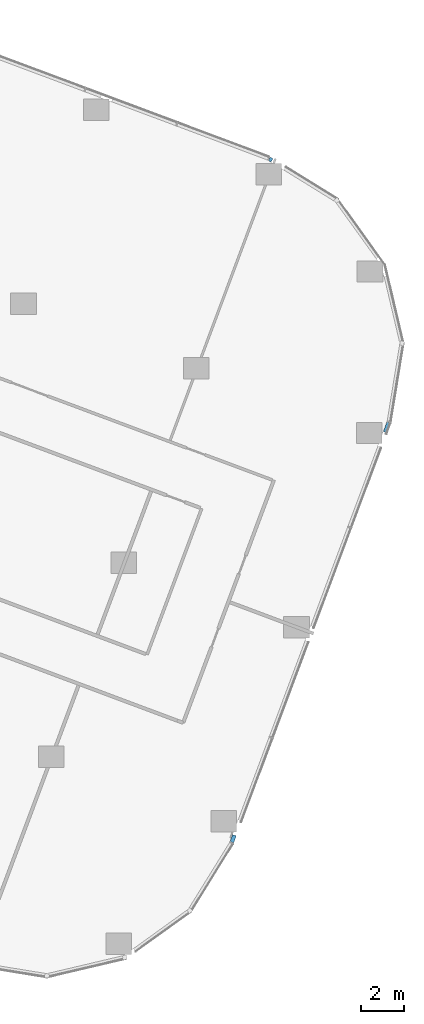
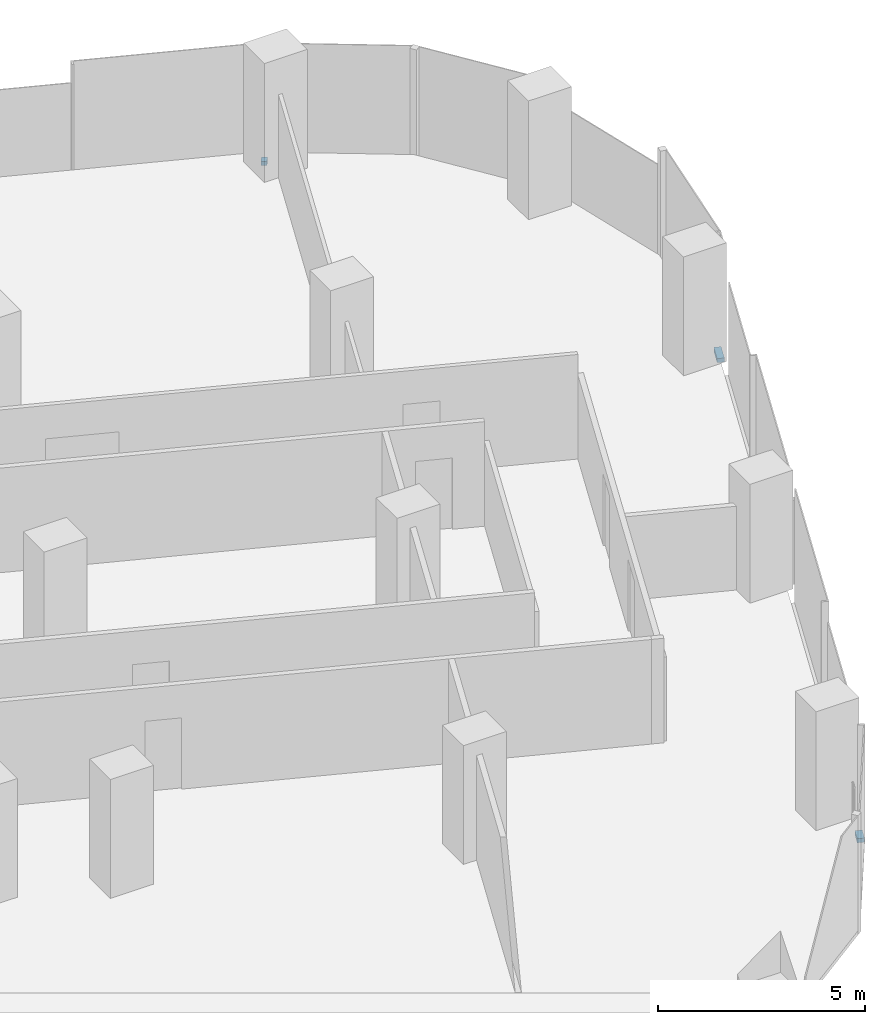
# One storey, part 15 of 31: 3 members, 2 elements without a shape of their own.
"""IFC4 building model written with IfcOpenShell, lengths in metres."""

from ifc_helpers import new_model, si_unit, direction, frame, origin, origin_2d, place, context, subcontext, project, spatial, rectangle, extrude, material, material_profile, profile_set, type_object, element, aggregate, save


model = new_model("IFC4")

# Units and contexts
model_context = context("Model", 3, precision=1e-05, world=origin(), true_north=direction((0.0, 1.0)))
body_context = subcontext(model_context, "Body", "Model", "MODEL_VIEW")
ifc_project = project(units=[si_unit("LENGTHUNIT", "METRE"), si_unit("AREAUNIT", "SQUARE_METRE"), si_unit("VOLUMEUNIT", "CUBIC_METRE"), si_unit("PLANEANGLEUNIT", "RADIAN"), si_unit("MASSUNIT", "GRAM", prefix="KILO")], contexts=[model_context])

# Site, building, storey
site_placement = place(None, origin())
site = spatial("IfcSite", under=ifc_project, at=site_placement, CompositionType="ELEMENT")
building_placement = place(site_placement, origin())
building = spatial("IfcBuilding", under=site, at=building_placement, Name="Orlundy Tower", CompositionType="ELEMENT")
storey_placement = place(building_placement, frame((0.0, 0.0, 94.699951171875)))
storey = spatial("IfcBuildingStorey", under=building, at=storey_placement, Name="L23", CompositionType="ELEMENT", Elevation=94.699951171875)

# Curtain wall, member
ifc_material_1 = material(Name="Aluminium bronze anodised", Category="aluminium")
curtain_wall_type = type_object("IfcCurtainWallType", Name="CW1 wall", PredefinedType="NOTDEFINED", material=ifc_material_1)
curtain_wall_1_placement = place(storey_placement, origin())
curtain_wall_1 = element("IfcCurtainWall", 1, at=curtain_wall_1_placement, inside=storey, type_object=curtain_wall_type, Name="CW1 run 07", PredefinedType="NOTDEFINED")
ifc_material_2 = material(Name="Aluminium bronze anodised", Category="aluminium")
ifc_material_profile = material_profile(ifc_material_2, rectangle(XDim=0.179931640625, YDim=0.1201171875, at=origin_2d()), Name="CW1 transom 180x120")
ifc_profile_set = profile_set([ifc_material_profile], Name="Aluminium bronze anodised")
member_type = type_object("IfcMemberType", Name="CW1 transom 180x120", PredefinedType="USERDEFINED", material=ifc_profile_set)
member_1_placement = place(storey_placement, frame((53.899169921875, 1.291015625, -0.33984375), z_axis=(0.850797997359, -0.525492880722, 0.0), x_axis=(0.525492880722, 0.850797997359, 0.0)))
member_1 = element("IfcMember", 2, at=member_1_placement, type_object=member_type, Name="CW1 transom", ObjectType="TRANSOM", PredefinedType="USERDEFINED", context=body_context, shape_type="SweptSolid", body=[
    extrude(rectangle(XDim=0.179931640625, YDim=0.1201171875, at=origin_2d()), origin(), (0.0, 0.0, 1.0), 0.146240234375),
])
aggregate(curtain_wall_1, [member_1])

# Curtain wall, members
curtain_wall_2_placement = place(storey_placement, origin())
curtain_wall_2 = element("IfcCurtainWall", 3, at=curtain_wall_2_placement, inside=storey, type_object=curtain_wall_type, Name="CW1 run 011", PredefinedType="NOTDEFINED")
member_2_placement = place(storey_placement, frame((59.487548828125, -11.048828125, -0.33984375), z_axis=(-0.350299507683, -0.936637739426, 0.0), x_axis=(0.936637739426, -0.350299507683, 0.0)))
member_2 = element("IfcMember", 4, at=member_2_placement, type_object=member_type, Name="CW1 transom", ObjectType="TRANSOM", PredefinedType="USERDEFINED", context=body_context, shape_type="SweptSolid", body=[
    extrude(rectangle(XDim=0.179931640625, YDim=0.1201171875, at=origin_2d()), origin(), (0.0, 0.0, 1.0), 0.487060546875),
])
member_3_placement = place(storey_placement, frame((52.2666015625, -30.363037109375, -0.33984375), z_axis=(-0.350198501228, -0.936675509308, 0.0), x_axis=(0.936675509308, -0.350198501228, 0.0)))
member_3 = element("IfcMember", 5, at=member_3_placement, type_object=member_type, Name="CW1 transom", ObjectType="TRANSOM", PredefinedType="USERDEFINED", context=body_context, shape_type="SweptSolid", body=[
    extrude(rectangle(XDim=0.179931640625, YDim=0.1201171875, at=origin_2d()), origin(), (0.0, 0.0, 1.0), 0.34716796875),
])
aggregate(curtain_wall_2, [member_2, member_3])

save(model, "model.ifc")
